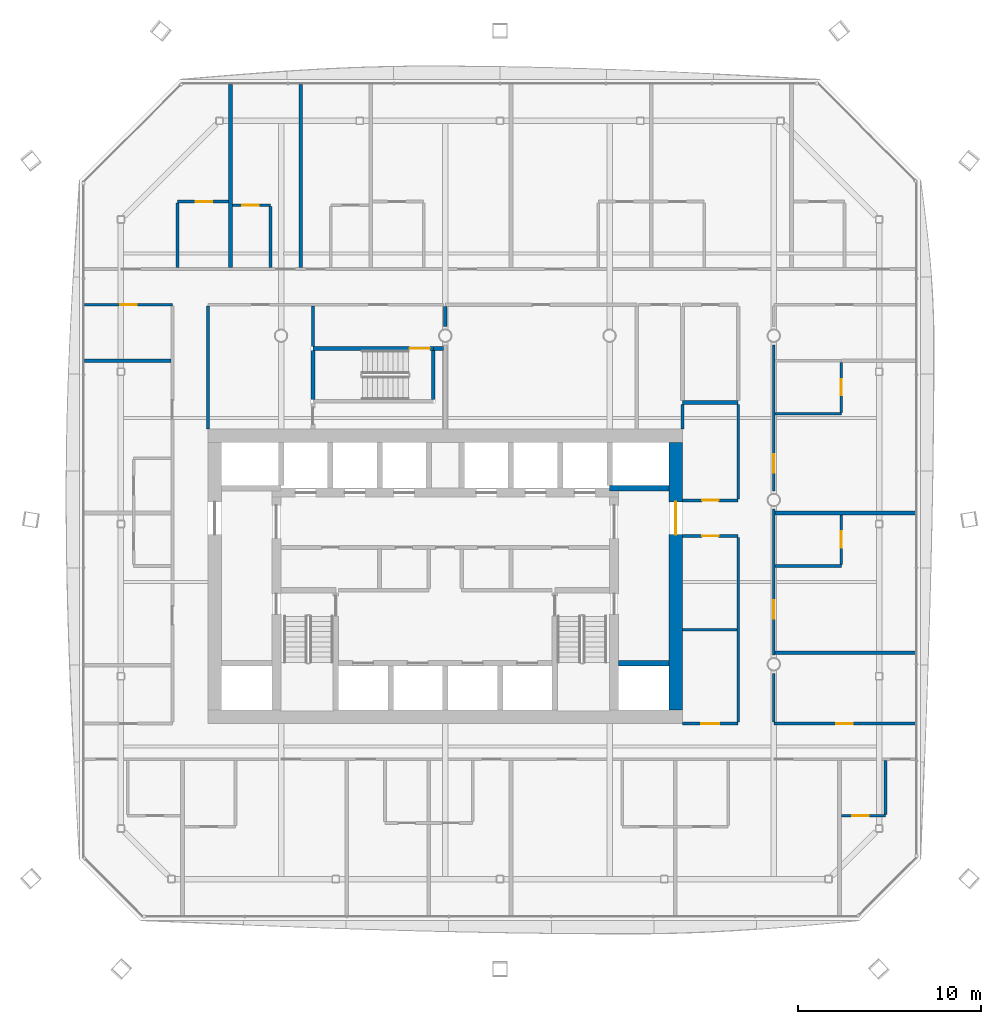
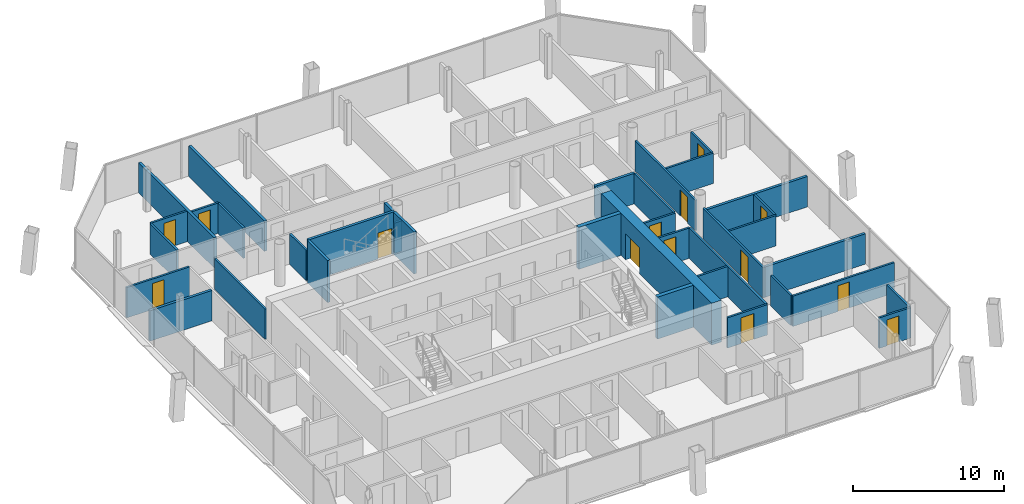
# One storey, part 14 of 21: 38 walls, 14 doors, 14 openings.
"""IFC4 building model written with IfcOpenShell, lengths in metres."""

from ifc_helpers import new_model, si_unit, direction, frame, frame_2d, origin, place, context, subcontext, project, spatial, rectangle, extrude, material, layer, layer_set, type_object, element, fill, save


model = new_model("IFC4")

# Units and contexts
model_context = context("Model", 3, precision=1e-05, world=origin(), true_north=direction((0.0, 1.0)))
body_context = subcontext(model_context, "Body", "Model", "MODEL_VIEW")
ifc_project = project(units=[si_unit("LENGTHUNIT", "METRE"), si_unit("AREAUNIT", "SQUARE_METRE"), si_unit("VOLUMEUNIT", "CUBIC_METRE"), si_unit("PLANEANGLEUNIT", "RADIAN"), si_unit("MASSUNIT", "GRAM", prefix="KILO")], contexts=[model_context])

# Site, building, storey
site_placement = place(None, origin())
site = spatial("IfcSite", under=ifc_project, at=site_placement, CompositionType="ELEMENT")
building_placement = place(site_placement, origin())
building = spatial("IfcBuilding", under=site, at=building_placement, Name="Tskaro Facet Tower", CompositionType="ELEMENT")
storey_placement = place(building_placement, frame((0.0, 0.0, 135.10009765625)))
storey = spatial("IfcBuildingStorey", under=building, at=storey_placement, Name="L32", CompositionType="ELEMENT", Elevation=135.10009765625)

# Walls
ifc_material_1 = material(Name="Concrete C60/75", Category="concrete")
ifc_layer_1 = layer(ifc_material_1, 0.300048828125, Name="Concrete C60/75")
ifc_layer_set_1 = layer_set([ifc_layer_1], Name="Concrete C60/75")
wall_type_1 = type_object("IfcWallType", Name="CORE-SHAFT", PredefinedType="SHEAR", material=ifc_layer_set_1)
wall_1_placement = place(storey_placement, frame((9.5, -8.949951171875, 0.0), z_axis=(0.0, 0.0, 1.0), x_axis=(1.0, 0.0, 0.0)))
element("IfcWall", 1, at=wall_1_placement, inside=storey, type_object=wall_type_1, Name="Shaft wall W013", PredefinedType="SHEAR", context=body_context, shape_type="SweptSolid", body=[
    extrude(rectangle(XDim=2.75, YDim=0.300048828125, at=frame_2d((1.375, 0.0))), origin(), (0.0, 0.0, 1.0), 3.39990234375),
])
wall_2_placement = place(storey_placement, frame((12.25, 0.64990234375, 0.0), z_axis=(0.0, 0.0, 1.0), x_axis=(-1.0, 0.0, 0.0)))
element("IfcWall", 2, at=wall_2_placement, inside=storey, type_object=wall_type_1, Name="Shaft wall W028", PredefinedType="SHEAR", context=body_context, shape_type="SweptSolid", body=[
    extrude(rectangle(XDim=3.25, YDim=0.300048828125, at=frame_2d((1.625, 0.0))), origin(), (0.0, 0.0, 1.0), 3.39990234375),
])

# Wall, opening, door
ifc_material_2 = material(Name="Concrete C50/60", Category="concrete")
ifc_layer_2 = layer(ifc_material_2, 0.75, Name="Concrete C50/60")
ifc_layer_set_2 = layer_set([ifc_layer_2], Name="Concrete C50/60")
wall_type_2 = type_object("IfcWallType", Name="Core wall 750", PredefinedType="SHEAR", material=ifc_layer_set_2)
wall_3_placement = place(storey_placement, frame((12.625, -11.5, 0.0), z_axis=(0.0, 0.0, 1.0), x_axis=(0.0, 1.0, 0.0)))
wall_3 = element("IfcWall", 3, at=wall_3_placement, inside=storey, type_object=wall_type_2, Name="Core wall CW-Z2E", PredefinedType="SHEAR", context=body_context, shape_type="SweptSolid", body=[
    extrude(rectangle(XDim=14.64990234375, YDim=0.75, at=frame_2d((7.324951171875, 0.0))), origin(), (0.0, 0.0, 1.0), 3.39990234375),
])
opening_1_placement = place(wall_3_placement, frame((9.60009765625, 0.0, 0.0)))
opening_1 = element("IfcOpeningElement", 4, at=opening_1_placement, cuts=wall_3, Name="Opening T9-D32", PredefinedType="OPENING", context=body_context, shape_type="SweptSolid", body=[
    extrude(rectangle(XDim=1.800048828125, YDim=2.10009765625, at=frame_2d((0.89990234375, 1.050048828125))), frame((0.0, 0.385009765625, 0.0), z_axis=(0.0, -1.0, 0.0), x_axis=(1.0, 0.0, 0.0)), (0.0, 0.0, 1.0), 0.77001953125),
])
ifc_material_3 = material(Name="Steel", Category="steel")
door_type_1 = type_object("IfcDoorType", Name="D-CORE-PAIR", OperationType="NOTDEFINED", PredefinedType="DOOR", material=ifc_material_3)
door_1_placement = place(opening_1_placement, origin())
door_1 = element("IfcDoor", 5, at=door_1_placement, inside=storey, type_object=door_type_1, Name="Door T9-D32", OperationType="DOUBLE_DOOR_SINGLE_SWING", OverallHeight=2.10009765625, OverallWidth=1.800048828125, PredefinedType="DOOR", context=body_context, shape_type="SweptSolid", body=[
    extrude(rectangle(XDim=1.800048828125, YDim=2.10009765625, at=frame_2d((0.89990234375, 1.050048828125))), frame((0.0, 0.02490234375, 0.0), z_axis=(0.0, -1.0, 0.0), x_axis=(1.0, 0.0, 0.0)), (0.0, 0.0, 1.0), 0.050048828125),
])
fill(opening_1, door_1)

ifc_material_4 = material(Name="Gypsum board on steel studs", Category="steel")
ifc_layer_3 = layer(ifc_material_4, 0.14990234375, Name="Gypsum board on steel studs")
ifc_layer_set_3 = layer_set([ifc_layer_3], Name="Gypsum board on steel studs")
wall_type_3 = type_object("IfcWallType", Name="PART-CORR", PredefinedType="PARTITIONING", material=ifc_layer_set_3)
wall_4_placement = place(storey_placement, frame((21.698974609375, -17.300048828125, 0.0), z_axis=(0.0, 0.0, 1.0), x_axis=(1.0, 0.0, 0.0)))
wall_4 = element("IfcWall", 6, at=wall_4_placement, inside=storey, type_object=wall_type_3, Name="Corridor wall W005", PredefinedType="PARTITIONING", context=body_context, shape_type="SweptSolid", body=[
    extrude(rectangle(XDim=2.419921875, YDim=0.14990234375, at=frame_2d((1.2099609375, 0.0))), origin(), (0.0, 0.0, 1.0), 2.4599609375),
])
opening_2_placement = place(wall_4_placement, frame((0.610107421875, 0.0, 0.0)))
opening_2 = element("IfcOpeningElement", 7, at=opening_2_placement, cuts=wall_4, Name="Opening T9-D07", PredefinedType="OPENING", context=body_context, shape_type="SweptSolid", body=[
    extrude(rectangle(XDim=0.89990234375, YDim=2.10009765625, at=frame_2d((0.449951171875, 1.050048828125))), frame((0.0, 0.0849609375, 0.0), z_axis=(0.0, -1.0, 0.0), x_axis=(1.0, 0.0, 0.0)), (0.0, 0.0, 1.0), 0.169921875),
])
ifc_material_5 = material(Name="Timber", Category="wood")
door_type_2 = type_object("IfcDoorType", Name="D-ROOM", OperationType="NOTDEFINED", PredefinedType="DOOR", material=ifc_material_5)
door_2_placement = place(opening_2_placement, origin())
door_2 = element("IfcDoor", 8, at=door_2_placement, inside=storey, type_object=door_type_2, Name="Door T9-D07", OperationType="SINGLE_SWING_LEFT", OverallHeight=2.10009765625, OverallWidth=0.89990234375, PredefinedType="DOOR", context=body_context, shape_type="SweptSolid", body=[
    extrude(rectangle(XDim=0.89990234375, YDim=2.10009765625, at=frame_2d((0.449951171875, 1.050048828125))), frame((0.0, 0.02490234375, 0.0), z_axis=(0.0, -1.0, 0.0), x_axis=(1.0, 0.0, 0.0)), (0.0, 0.0, 1.0), 0.050048828125),
])
fill(opening_2, door_2)

wall_5_placement = place(storey_placement, frame((13.0, -12.25, 0.0), z_axis=(0.0, 0.0, 1.0), x_axis=(1.0, 0.0, 0.0)))
wall_5 = element("IfcWall", 9, at=wall_5_placement, inside=storey, type_object=wall_type_3, Name="Corridor wall W008", PredefinedType="PARTITIONING", context=body_context, shape_type="SweptSolid", body=[
    extrude(rectangle(XDim=3.050048828125, YDim=0.14990234375, at=frame_2d((1.52490234375, 0.0))), origin(), (0.0, 0.0, 1.0), 2.4599609375),
])
opening_3_placement = place(wall_5_placement, frame((1.02490234375, 0.0, 0.0)))
opening_3 = element("IfcOpeningElement", 10, at=opening_3_placement, cuts=wall_5, Name="Opening T9-D16", PredefinedType="OPENING", context=body_context, shape_type="SweptSolid", body=[
    extrude(rectangle(XDim=1.0, YDim=2.10009765625, at=frame_2d((0.5, 1.050048828125))), frame((0.0, 0.0849609375, 0.0), z_axis=(0.0, -1.0, 0.0), x_axis=(1.0, 0.0, 0.0)), (0.0, 0.0, 1.0), 0.169921875),
])
door_type_3 = type_object("IfcDoorType", Name="D-ROOM-WIDE", OperationType="NOTDEFINED", PredefinedType="DOOR", material=ifc_material_5)
door_3_placement = place(opening_3_placement, origin())
door_3 = element("IfcDoor", 11, at=door_3_placement, inside=storey, type_object=door_type_3, Name="Door T9-D16", OperationType="SINGLE_SWING_LEFT", OverallHeight=2.10009765625, OverallWidth=1.0, PredefinedType="DOOR", context=body_context, shape_type="SweptSolid", body=[
    extrude(rectangle(XDim=1.0, YDim=2.10009765625, at=frame_2d((0.5, 1.050048828125))), frame((0.0, 0.02490234375, 0.0), z_axis=(0.0, -1.0, 0.0), x_axis=(1.0, 0.0, 0.0)), (0.0, 0.0, 1.0), 0.050048828125),
])
fill(opening_3, door_3)

wall_6_placement = place(storey_placement, frame((18.0, -12.25, 0.0), z_axis=(0.0, 0.0, 1.0), x_axis=(1.0, 0.0, 0.0)))
wall_6 = element("IfcWall", 12, at=wall_6_placement, inside=storey, type_object=wall_type_3, Name="Corridor wall W009", PredefinedType="PARTITIONING", context=body_context, shape_type="SweptSolid", body=[
    extrude(rectangle(XDim=7.77001953125, YDim=0.14990234375, at=frame_2d((3.885009765625, 0.0))), origin(), (0.0, 0.0, 1.0), 2.4599609375),
])
opening_4_placement = place(wall_6_placement, frame((3.43505859375, 0.0, 0.0)))
opening_4 = element("IfcOpeningElement", 13, at=opening_4_placement, cuts=wall_6, Name="Opening T9-D17", PredefinedType="OPENING", context=body_context, shape_type="SweptSolid", body=[
    extrude(rectangle(XDim=0.89990234375, YDim=2.10009765625, at=frame_2d((0.449951171875, 1.050048828125))), frame((0.0, 0.0849609375, 0.0), z_axis=(0.0, -1.0, 0.0), x_axis=(1.0, 0.0, 0.0)), (0.0, 0.0, 1.0), 0.169921875),
])
door_4_placement = place(opening_4_placement, origin())
door_4 = element("IfcDoor", 14, at=door_4_placement, inside=storey, type_object=door_type_2, Name="Door T9-D17", OperationType="SINGLE_SWING_LEFT", OverallHeight=2.10009765625, OverallWidth=0.89990234375, PredefinedType="DOOR", context=body_context, shape_type="SweptSolid", body=[
    extrude(rectangle(XDim=0.89990234375, YDim=2.10009765625, at=frame_2d((0.449951171875, 1.050048828125))), frame((0.0, 0.02490234375, 0.0), z_axis=(0.0, -1.0, 0.0), x_axis=(1.0, 0.0, 0.0)), (0.0, 0.0, 1.0), 0.050048828125),
])
fill(opening_4, door_4)

# Walls
wall_7_placement = place(storey_placement, frame((13.0, -7.112060546875, 0.0), z_axis=(0.0, 0.0, 1.0), x_axis=(1.0, 0.0, 0.0)))
element("IfcWall", 15, at=wall_7_placement, inside=storey, type_object=wall_type_3, Name="Corridor wall W015", PredefinedType="PARTITIONING", context=body_context, shape_type="SweptSolid", body=[
    extrude(rectangle(XDim=2.97509765625, YDim=0.14990234375, at=frame_2d((1.487548828125, 0.0))), origin(), (0.0, 0.0, 1.0), 2.4599609375),
])
wall_8_placement = place(storey_placement, frame((18.074951171875, -3.615966796875, 0.0), z_axis=(0.0, 0.0, 1.0), x_axis=(1.0, 0.0, 0.0)))
element("IfcWall", 16, at=wall_8_placement, inside=storey, type_object=wall_type_3, Name="Corridor wall W020", PredefinedType="PARTITIONING", context=body_context, shape_type="SweptSolid", body=[
    extrude(rectangle(XDim=3.625, YDim=0.14990234375, at=frame_2d((1.8125, 0.0))), origin(), (0.0, 0.0, 1.0), 2.4599609375),
])

# Wall, opening, door
wall_9_placement = place(storey_placement, frame((16.050048828125, -1.97509765625, 0.0), z_axis=(0.0, 0.0, 1.0), x_axis=(-1.0, 0.0, 0.0)))
wall_9 = element("IfcWall", 17, at=wall_9_placement, inside=storey, type_object=wall_type_3, Name="Corridor wall W023", PredefinedType="PARTITIONING", context=body_context, shape_type="SweptSolid", body=[
    extrude(rectangle(XDim=3.050048828125, YDim=0.14990234375, at=frame_2d((1.52490234375, 0.0))), origin(), (0.0, 0.0, 1.0), 2.4599609375),
])
opening_5_placement = place(wall_9_placement, frame((1.074951171875, 0.0, 0.0)))
opening_5 = element("IfcOpeningElement", 18, at=opening_5_placement, cuts=wall_9, Name="Opening T9-D28", PredefinedType="OPENING", context=body_context, shape_type="SweptSolid", body=[
    extrude(rectangle(XDim=0.89990234375, YDim=2.10009765625, at=frame_2d((0.449951171875, 1.050048828125))), frame((0.0, 0.0849609375, 0.0), z_axis=(0.0, -1.0, 0.0), x_axis=(1.0, 0.0, 0.0)), (0.0, 0.0, 1.0), 0.169921875),
])
door_5_placement = place(opening_5_placement, origin())
door_5 = element("IfcDoor", 19, at=door_5_placement, inside=storey, type_object=door_type_2, Name="Door T9-D28", OperationType="SINGLE_SWING_RIGHT", OverallHeight=2.10009765625, OverallWidth=0.89990234375, PredefinedType="DOOR", context=body_context, shape_type="SweptSolid", body=[
    extrude(rectangle(XDim=0.89990234375, YDim=2.10009765625, at=frame_2d((0.449951171875, 1.050048828125))), frame((0.0, 0.02490234375, 0.0), z_axis=(0.0, -1.0, 0.0), x_axis=(1.0, 0.0, 0.0)), (0.0, 0.0, 1.0), 0.050048828125),
])
fill(opening_5, door_5)

wall_10_placement = place(storey_placement, frame((13.0, -0.02490234375, 0.0), z_axis=(0.0, 0.0, 1.0), x_axis=(1.0, 0.0, 0.0)))
wall_10 = element("IfcWall", 20, at=wall_10_placement, inside=storey, type_object=wall_type_3, Name="Corridor wall W026", PredefinedType="PARTITIONING", context=body_context, shape_type="SweptSolid", body=[
    extrude(rectangle(XDim=3.050048828125, YDim=0.14990234375, at=frame_2d((1.52490234375, 0.0))), origin(), (0.0, 0.0, 1.0), 2.4599609375),
])
opening_6_placement = place(wall_10_placement, frame((1.074951171875, 0.0, 0.0)))
opening_6 = element("IfcOpeningElement", 21, at=opening_6_placement, cuts=wall_10, Name="Opening T9-D33", PredefinedType="OPENING", context=body_context, shape_type="SweptSolid", body=[
    extrude(rectangle(XDim=0.89990234375, YDim=2.10009765625, at=frame_2d((0.449951171875, 1.050048828125))), frame((0.0, 0.0849609375, 0.0), z_axis=(0.0, -1.0, 0.0), x_axis=(1.0, 0.0, 0.0)), (0.0, 0.0, 1.0), 0.169921875),
])
door_6_placement = place(opening_6_placement, origin())
door_6 = element("IfcDoor", 22, at=door_6_placement, inside=storey, type_object=door_type_2, Name="Door T9-D33", OperationType="SINGLE_SWING_LEFT", OverallHeight=2.10009765625, OverallWidth=0.89990234375, PredefinedType="DOOR", context=body_context, shape_type="SweptSolid", body=[
    extrude(rectangle(XDim=0.89990234375, YDim=2.10009765625, at=frame_2d((0.449951171875, 1.050048828125))), frame((0.0, 0.02490234375, 0.0), z_axis=(0.0, -1.0, 0.0), x_axis=(1.0, 0.0, 0.0)), (0.0, 0.0, 1.0), 0.050048828125),
])
fill(opening_6, door_6)

# Wall
wall_11_placement = place(storey_placement, frame((18.074951171875, 4.72607421875, 0.0), z_axis=(0.0, 0.0, 1.0), x_axis=(1.0, 0.0, 0.0)))
element("IfcWall", 23, at=wall_11_placement, inside=storey, type_object=wall_type_3, Name="Corridor wall W030", PredefinedType="PARTITIONING", context=body_context, shape_type="SweptSolid", body=[
    extrude(rectangle(XDim=3.625, YDim=0.14990234375, at=frame_2d((1.8125, 0.0))), origin(), (0.0, 0.0, 1.0), 2.4599609375),
])

# Wall, opening, door
wall_12_placement = place(storey_placement, frame((-14.949951171875, 10.699951171875, 0.0), z_axis=(0.0, 0.0, 1.0), x_axis=(-1.0, 0.0, 0.0)))
wall_12 = element("IfcWall", 24, at=wall_12_placement, inside=storey, type_object=wall_type_3, Name="Corridor wall W038", PredefinedType="PARTITIONING", context=body_context, shape_type="SweptSolid", body=[
    extrude(rectangle(XDim=4.820068359375, YDim=0.14990234375, at=frame_2d((2.41015625, 0.0))), origin(), (0.0, 0.0, 1.0), 2.4599609375),
])
opening_7_placement = place(wall_12_placement, frame((1.9599609375, 0.0, 0.0)))
opening_7 = element("IfcOpeningElement", 25, at=opening_7_placement, cuts=wall_12, Name="Opening T9-D41", PredefinedType="OPENING", context=body_context, shape_type="SweptSolid", body=[
    extrude(rectangle(XDim=0.89990234375, YDim=2.10009765625, at=frame_2d((0.449951171875, 1.050048828125))), frame((0.0, 0.0849609375, 0.0), z_axis=(0.0, -1.0, 0.0), x_axis=(1.0, 0.0, 0.0)), (0.0, 0.0, 1.0), 0.169921875),
])
door_7_placement = place(opening_7_placement, origin())
door_7 = element("IfcDoor", 26, at=door_7_placement, inside=storey, type_object=door_type_2, Name="Door T9-D41", OperationType="SINGLE_SWING_RIGHT", OverallHeight=2.10009765625, OverallWidth=0.89990234375, PredefinedType="DOOR", context=body_context, shape_type="SweptSolid", body=[
    extrude(rectangle(XDim=0.89990234375, YDim=2.10009765625, at=frame_2d((0.449951171875, 1.050048828125))), frame((0.0, 0.02490234375, 0.0), z_axis=(0.0, -1.0, 0.0), x_axis=(1.0, 0.0, 0.0)), (0.0, 0.0, 1.0), 0.050048828125),
])
fill(opening_7, door_7)

wall_13_placement = place(storey_placement, frame((-9.577880859375, 16.14990234375, 0.0), z_axis=(0.0, 0.0, 1.0), x_axis=(-1.0, 0.0, 0.0)))
wall_13 = element("IfcWall", 27, at=wall_13_placement, inside=storey, type_object=wall_type_3, Name="Corridor wall W045", PredefinedType="PARTITIONING", context=body_context, shape_type="SweptSolid", body=[
    extrude(rectangle(XDim=2.090087890625, YDim=0.14990234375, at=frame_2d((1.044921875, 0.0))), origin(), (0.0, 0.0, 1.0), 2.4599609375),
])
opening_8_placement = place(wall_13_placement, frame((0.64501953125, 0.0, 0.0)))
opening_8 = element("IfcOpeningElement", 28, at=opening_8_placement, cuts=wall_13, Name="Opening T9-D55", PredefinedType="OPENING", context=body_context, shape_type="SweptSolid", body=[
    extrude(rectangle(XDim=0.89990234375, YDim=2.10009765625, at=frame_2d((0.449951171875, 1.050048828125))), frame((0.0, 0.0849609375, 0.0), z_axis=(0.0, -1.0, 0.0), x_axis=(1.0, 0.0, 0.0)), (0.0, 0.0, 1.0), 0.169921875),
])
door_8_placement = place(opening_8_placement, origin())
door_8 = element("IfcDoor", 29, at=door_8_placement, inside=storey, type_object=door_type_2, Name="Door T9-D55", OperationType="SINGLE_SWING_RIGHT", OverallHeight=2.10009765625, OverallWidth=0.89990234375, PredefinedType="DOOR", context=body_context, shape_type="SweptSolid", body=[
    extrude(rectangle(XDim=0.89990234375, YDim=2.10009765625, at=frame_2d((0.449951171875, 1.050048828125))), frame((0.0, 0.02490234375, 0.0), z_axis=(0.0, -1.0, 0.0), x_axis=(1.0, 0.0, 0.0)), (0.0, 0.0, 1.0), 0.050048828125),
])
fill(opening_8, door_8)

wall_14_placement = place(storey_placement, frame((-11.867919921875, 16.35009765625, 0.0), z_axis=(0.0, 0.0, 1.0), x_axis=(-1.0, 0.0, 0.0)))
wall_14 = element("IfcWall", 30, at=wall_14_placement, inside=storey, type_object=wall_type_3, Name="Corridor wall W047", PredefinedType="PARTITIONING", context=body_context, shape_type="SweptSolid", body=[
    extrude(rectangle(XDim=2.800048828125, YDim=0.14990234375, at=frame_2d((1.39990234375, 0.0))), origin(), (0.0, 0.0, 1.0), 2.4599609375),
])
opening_9_placement = place(wall_14_placement, frame((0.89990234375, 0.0, 0.0)))
opening_9 = element("IfcOpeningElement", 31, at=opening_9_placement, cuts=wall_14, Name="Opening T9-D57", PredefinedType="OPENING", context=body_context, shape_type="SweptSolid", body=[
    extrude(rectangle(XDim=0.89990234375, YDim=2.10009765625, at=frame_2d((0.449951171875, 1.050048828125))), frame((0.0, 0.0849609375, 0.0), z_axis=(0.0, -1.0, 0.0), x_axis=(1.0, 0.0, 0.0)), (0.0, 0.0, 1.0), 0.169921875),
])
door_9_placement = place(opening_9_placement, origin())
door_9 = element("IfcDoor", 32, at=door_9_placement, inside=storey, type_object=door_type_2, Name="Door T9-D57", OperationType="SINGLE_SWING_RIGHT", OverallHeight=2.10009765625, OverallWidth=0.89990234375, PredefinedType="DOOR", context=body_context, shape_type="SweptSolid", body=[
    extrude(rectangle(XDim=0.89990234375, YDim=2.10009765625, at=frame_2d((0.449951171875, 1.050048828125))), frame((0.0, 0.02490234375, 0.0), z_axis=(0.0, -1.0, 0.0), x_axis=(1.0, 0.0, 0.0)), (0.0, 0.0, 1.0), 0.050048828125),
])
fill(opening_9, door_9)

# Walls
wall_15_placement = place(storey_placement, frame((-14.66796875, 12.72509765625, 0.0), z_axis=(0.0, 0.0, 1.0), x_axis=(0.0, 1.0, 0.0)))
element("IfcWall", 33, at=wall_15_placement, inside=storey, type_object=wall_type_3, Name="Corridor wall W054", PredefinedType="PARTITIONING", context=body_context, shape_type="SweptSolid", body=[
    extrude(rectangle(XDim=3.5498046875, YDim=0.14990234375, at=frame_2d((1.77490234375, 0.0))), origin(), (0.0, 0.0, 1.0), 2.4599609375),
])
wall_16_placement = place(storey_placement, frame((-13.0, 3.89990234375, 0.0), z_axis=(0.0, 0.0, 1.0), x_axis=(0.0, 1.0, 0.0)))
element("IfcWall", 34, at=wall_16_placement, inside=storey, type_object=wall_type_3, Name="Corridor wall W056", PredefinedType="PARTITIONING", context=body_context, shape_type="SweptSolid", body=[
    extrude(rectangle(XDim=6.72509765625, YDim=0.14990234375, at=frame_2d((3.362548828125, 0.0))), origin(), (0.0, 0.0, 1.0), 2.4599609375),
])
wall_17_placement = place(storey_placement, frame((-9.577880859375, 12.72509765625, 0.0), z_axis=(0.0, 0.0, 1.0), x_axis=(0.0, 1.0, 0.0)))
element("IfcWall", 35, at=wall_17_placement, inside=storey, type_object=wall_type_3, Name="Corridor wall W059", PredefinedType="PARTITIONING", context=body_context, shape_type="SweptSolid", body=[
    extrude(rectangle(XDim=3.349853515625, YDim=0.14990234375, at=frame_2d((1.6748046875, 0.0))), origin(), (0.0, 0.0, 1.0), 2.4599609375),
])
wall_18_placement = place(storey_placement, frame((-7.25, 8.39990234375, 0.0), z_axis=(0.0, 0.0, 1.0), x_axis=(0.0, 1.0, 0.0)))
element("IfcWall", 36, at=wall_18_placement, inside=storey, type_object=wall_type_3, Name="Corridor wall W064", PredefinedType="PARTITIONING", context=body_context, shape_type="SweptSolid", body=[
    extrude(rectangle(XDim=2.22509765625, YDim=0.14990234375, at=frame_2d((1.112548828125, 0.0))), origin(), (0.0, 0.0, 1.0), 2.4599609375),
])
wall_19_placement = place(storey_placement, frame((13.0, 3.89990234375, 0.0), z_axis=(0.0, 0.0, 1.0), x_axis=(0.0, 1.0, 0.0)))
element("IfcWall", 37, at=wall_19_placement, inside=storey, type_object=wall_type_3, Name="Corridor wall W098", PredefinedType="PARTITIONING", context=body_context, shape_type="SweptSolid", body=[
    extrude(rectangle(XDim=1.337158203125, YDim=0.14990234375, at=frame_2d((0.66845703125, 0.0))), origin(), (0.0, 0.0, 1.0), 2.4599609375),
])
wall_20_placement = place(storey_placement, frame((16.050048828125, -12.175048828125, 0.0), z_axis=(0.0, 0.0, 1.0), x_axis=(0.0, 1.0, 0.0)))
element("IfcWall", 38, at=wall_20_placement, inside=storey, type_object=wall_type_3, Name="Corridor wall W102", PredefinedType="PARTITIONING", context=body_context, shape_type="SweptSolid", body=[
    extrude(rectangle(XDim=10.125, YDim=0.14990234375, at=frame_2d((5.0625, 0.0))), origin(), (0.0, 0.0, 1.0), 2.4599609375),
])
wall_21_placement = place(storey_placement, frame((16.050048828125, 0.050048828125, 0.0), z_axis=(0.0, 0.0, 1.0), x_axis=(0.0, 1.0, 0.0)))
element("IfcWall", 39, at=wall_21_placement, inside=storey, type_object=wall_type_3, Name="Corridor wall W103", PredefinedType="PARTITIONING", context=body_context, shape_type="SweptSolid", body=[
    extrude(rectangle(XDim=5.18701171875, YDim=0.14990234375, at=frame_2d((2.593505859375, 0.0))), origin(), (0.0, 0.0, 1.0), 2.4599609375),
])
wall_22_placement = place(storey_placement, frame((18.0, -12.175048828125, 0.0), z_axis=(0.0, 0.0, 1.0), x_axis=(0.0, 1.0, 0.0)))
element("IfcWall", 40, at=wall_22_placement, inside=storey, type_object=wall_type_3, Name="Corridor wall W105", PredefinedType="PARTITIONING", context=body_context, shape_type="SweptSolid", body=[
    extrude(rectangle(XDim=2.675048828125, YDim=0.14990234375, at=frame_2d((1.33740234375, 0.0))), origin(), (0.0, 0.0, 1.0), 2.4599609375),
])

# Wall, opening, door
wall_23_placement = place(storey_placement, frame((18.0, -0.5, 0.0), z_axis=(0.0, 0.0, 1.0), x_axis=(0.0, -1.0, 0.0)))
wall_23 = element("IfcWall", 41, at=wall_23_placement, inside=storey, type_object=wall_type_3, Name="Corridor wall W106", PredefinedType="PARTITIONING", context=body_context, shape_type="SweptSolid", body=[
    extrude(rectangle(XDim=8.0, YDim=0.14990234375, at=frame_2d((4.0, 0.0))), origin(), (0.0, 0.0, 1.0), 2.4599609375),
])
opening_10_placement = place(wall_23_placement, frame((4.998046875, 0.0, 0.0)))
opening_10 = element("IfcOpeningElement", 42, at=opening_10_placement, cuts=wall_23, Name="Opening T9-D21", PredefinedType="OPENING", context=body_context, shape_type="SweptSolid", body=[
    extrude(rectangle(XDim=1.0, YDim=2.10009765625, at=frame_2d((0.5, 1.050048828125))), frame((0.0, 0.0849609375, 0.0), z_axis=(0.0, -1.0, 0.0), x_axis=(1.0, 0.0, 0.0)), (0.0, 0.0, 1.0), 0.169921875),
])
door_type_4 = type_object("IfcDoorType", Name="D-ENTRY", OperationType="NOTDEFINED", PredefinedType="DOOR", material=ifc_material_5)
door_10_placement = place(opening_10_placement, origin())
door_10 = element("IfcDoor", 43, at=door_10_placement, inside=storey, type_object=door_type_4, Name="Door T9-D21", OperationType="SINGLE_SWING_LEFT", OverallHeight=2.10009765625, OverallWidth=1.0, PredefinedType="DOOR", context=body_context, shape_type="SweptSolid", body=[
    extrude(rectangle(XDim=1.0, YDim=2.10009765625, at=frame_2d((0.5, 1.050048828125))), frame((0.0, 0.02490234375, 0.0), z_axis=(0.0, -1.0, 0.0), x_axis=(1.0, 0.0, 0.0)), (0.0, 0.0, 1.0), 0.050048828125),
])
fill(opening_10, door_10)

wall_24_placement = place(storey_placement, frame((18.0, 8.5, 0.0), z_axis=(0.0, 0.0, 1.0), x_axis=(0.0, -1.0, 0.0)))
wall_24 = element("IfcWall", 44, at=wall_24_placement, inside=storey, type_object=wall_type_3, Name="Corridor wall W107", PredefinedType="PARTITIONING", context=body_context, shape_type="SweptSolid", body=[
    extrude(rectangle(XDim=8.0, YDim=0.14990234375, at=frame_2d((4.0, 0.0))), origin(), (0.0, 0.0, 1.0), 2.4599609375),
])
opening_11_placement = place(wall_24_placement, frame((5.9951171875, 0.0, 0.0)))
opening_11 = element("IfcOpeningElement", 45, at=opening_11_placement, cuts=wall_24, Name="Opening T9-D37", PredefinedType="OPENING", context=body_context, shape_type="SweptSolid", body=[
    extrude(rectangle(XDim=1.0, YDim=2.10009765625, at=frame_2d((0.5, 1.050048828125))), frame((0.0, 0.0849609375, 0.0), z_axis=(0.0, -1.0, 0.0), x_axis=(1.0, 0.0, 0.0)), (0.0, 0.0, 1.0), 0.169921875),
])
door_11_placement = place(opening_11_placement, origin())
door_11 = element("IfcDoor", 46, at=door_11_placement, inside=storey, type_object=door_type_4, Name="Door T9-D37", OperationType="SINGLE_SWING_LEFT", OverallHeight=2.10009765625, OverallWidth=1.0, PredefinedType="DOOR", context=body_context, shape_type="SweptSolid", body=[
    extrude(rectangle(XDim=1.0, YDim=2.10009765625, at=frame_2d((0.5, 1.050048828125))), frame((0.0, 0.02490234375, 0.0), z_axis=(0.0, -1.0, 0.0), x_axis=(1.0, 0.0, 0.0)), (0.0, 0.0, 1.0), 0.050048828125),
])
fill(opening_11, door_11)

wall_25_placement = place(storey_placement, frame((21.699951171875, -3.541015625, 0.0), z_axis=(0.0, 0.0, 1.0), x_axis=(0.0, 1.0, 0.0)))
wall_25 = element("IfcWall", 47, at=wall_25_placement, inside=storey, type_object=wall_type_3, Name="Corridor wall W111", PredefinedType="PARTITIONING", context=body_context, shape_type="SweptSolid", body=[
    extrude(rectangle(XDim=2.72509765625, YDim=0.14990234375, at=frame_2d((1.362548828125, 0.0))), origin(), (0.0, 0.0, 1.0), 2.4599609375),
])
opening_12_placement = place(wall_25_placement, frame((0.925048828125, 0.0, 0.0)))
opening_12 = element("IfcOpeningElement", 48, at=opening_12_placement, cuts=wall_25, Name="Opening T9-D27", PredefinedType="OPENING", context=body_context, shape_type="SweptSolid", body=[
    extrude(rectangle(XDim=0.89990234375, YDim=2.10009765625, at=frame_2d((0.449951171875, 1.050048828125))), frame((0.0, 0.0849609375, 0.0), z_axis=(0.0, -1.0, 0.0), x_axis=(1.0, 0.0, 0.0)), (0.0, 0.0, 1.0), 0.169921875),
])
door_12_placement = place(opening_12_placement, origin())
door_12 = element("IfcDoor", 49, at=door_12_placement, inside=storey, type_object=door_type_2, Name="Door T9-D27", OperationType="SINGLE_SWING_LEFT", OverallHeight=2.10009765625, OverallWidth=0.89990234375, PredefinedType="DOOR", context=body_context, shape_type="SweptSolid", body=[
    extrude(rectangle(XDim=0.89990234375, YDim=2.10009765625, at=frame_2d((0.449951171875, 1.050048828125))), frame((0.0, 0.02490234375, 0.0), z_axis=(0.0, -1.0, 0.0), x_axis=(1.0, 0.0, 0.0)), (0.0, 0.0, 1.0), 0.050048828125),
])
fill(opening_12, door_12)

wall_26_placement = place(storey_placement, frame((21.699951171875, 4.801025390625, 0.0), z_axis=(0.0, 0.0, 1.0), x_axis=(0.0, 1.0, 0.0)))
wall_26 = element("IfcWall", 50, at=wall_26_placement, inside=storey, type_object=wall_type_3, Name="Corridor wall W112", PredefinedType="PARTITIONING", context=body_context, shape_type="SweptSolid", body=[
    extrude(rectangle(XDim=2.724853515625, YDim=0.14990234375, at=frame_2d((1.3623046875, 0.0))), origin(), (0.0, 0.0, 1.0), 2.4599609375),
])
opening_13_placement = place(wall_26_placement, frame((0.925048828125, 0.0, 0.0)))
opening_13 = element("IfcOpeningElement", 51, at=opening_13_placement, cuts=wall_26, Name="Opening T9-D40", PredefinedType="OPENING", context=body_context, shape_type="SweptSolid", body=[
    extrude(rectangle(XDim=0.89990234375, YDim=2.10009765625, at=frame_2d((0.449951171875, 1.050048828125))), frame((0.0, 0.0849609375, 0.0), z_axis=(0.0, -1.0, 0.0), x_axis=(1.0, 0.0, 0.0)), (0.0, 0.0, 1.0), 0.169921875),
])
door_13_placement = place(opening_13_placement, origin())
door_13 = element("IfcDoor", 52, at=door_13_placement, inside=storey, type_object=door_type_2, Name="Door T9-D40", OperationType="SINGLE_SWING_LEFT", OverallHeight=2.10009765625, OverallWidth=0.89990234375, PredefinedType="DOOR", context=body_context, shape_type="SweptSolid", body=[
    extrude(rectangle(XDim=0.89990234375, YDim=2.10009765625, at=frame_2d((0.449951171875, 1.050048828125))), frame((0.0, 0.02490234375, 0.0), z_axis=(0.0, -1.0, 0.0), x_axis=(1.0, 0.0, 0.0)), (0.0, 0.0, 1.0), 0.050048828125),
])
fill(opening_13, door_13)

# Walls
wall_27_placement = place(storey_placement, frame((24.118896484375, -17.22509765625, 0.0), z_axis=(0.0, 0.0, 1.0), x_axis=(0.0, 1.0, 0.0)))
element("IfcWall", 53, at=wall_27_placement, inside=storey, type_object=wall_type_3, Name="Corridor wall W114", PredefinedType="PARTITIONING", context=body_context, shape_type="SweptSolid", body=[
    extrude(rectangle(XDim=2.9501953125, YDim=0.14990234375, at=frame_2d((1.47509765625, 0.0))), origin(), (0.0, 0.0, 1.0), 2.4599609375),
])
ifc_layer_4 = layer(ifc_material_4, 0.199951171875, Name="Gypsum board on steel studs")
ifc_layer_set_4 = layer_set([ifc_layer_4], Name="Gypsum board on steel studs")
wall_type_4 = type_object("IfcWallType", Name="PART-DEMISING", PredefinedType="PARTITIONING", material=ifc_layer_set_4)
for number, where, z_axis, x_axis, name in (
    (54, (18.074951171875, -8.3798828125, 0.0), (0.0, 0.0, 1.0), (1.0, 0.0, 0.0), "Guest room wall W014"),
    (55, (18.074951171875, -0.716064453125, 0.0), (0.0, 0.0, 1.0), (1.0, 0.0, 0.0), "Guest room wall W024"),
):
    element("IfcWall", number, at=place(storey_placement, frame(where, z_axis=z_axis, x_axis=x_axis)), inside=storey, type_object=wall_type_4, Name=name, PredefinedType="PARTITIONING", context=body_context, shape_type="SweptSolid", body=[
        extrude(rectangle(XDim=7.695068359375, YDim=0.199951171875, at=frame_2d((3.84765625, 0.0))), origin(), (0.0, 0.0, 1.0), 2.4599609375),
    ])
wall_28_placement = place(storey_placement, frame((-19.77001953125, 7.6259765625, 0.0), z_axis=(0.0, 0.0, 1.0), x_axis=(1.0, 0.0, 0.0)))
element("IfcWall", 56, at=wall_28_placement, inside=storey, type_object=wall_type_4, Name="Guest room wall W033", PredefinedType="PARTITIONING", context=body_context, shape_type="SweptSolid", body=[
    extrude(rectangle(XDim=4.7451171875, YDim=0.199951171875, at=frame_2d((2.37255859375, 0.0))), origin(), (0.0, 0.0, 1.0), 2.4599609375),
])
for number, where, z_axis, x_axis, name in (
    (57, (-11.76806640625, 12.72509765625, 0.0), (0.0, 0.0, 1.0), (0.0, 1.0, 0.0), "Guest room wall W057"),
    (58, (-7.926025390625, 12.72509765625, 0.0), (0.0, 0.0, 1.0), (0.0, 1.0, 0.0), "Guest room wall W061"),
):
    element("IfcWall", number, at=place(storey_placement, frame(where, z_axis=z_axis, x_axis=x_axis)), inside=storey, type_object=wall_type_4, Name=name, PredefinedType="PARTITIONING", context=body_context, shape_type="SweptSolid", body=[
        extrude(rectangle(XDim=10.044921875, YDim=0.199951171875, at=frame_2d((5.0224609375, 0.0))), origin(), (0.0, 0.0, 1.0), 2.4599609375),
    ])

# Wall, opening, door
ifc_layer_5 = layer(ifc_material_1, 0.199951171875, Name="Concrete C60/75")
ifc_layer_set_5 = layer_set([ifc_layer_5], Name="Concrete C60/75")
wall_type_5 = type_object("IfcWallType", Name="STAIR-WALL", PredefinedType="SHEAR", material=ifc_layer_set_5)
wall_29_placement = place(storey_placement, frame((-0.64990234375, 8.300048828125, 0.0), z_axis=(0.0, 0.0, 1.0), x_axis=(-1.0, 0.0, 0.0)))
wall_29 = element("IfcWall", 59, at=wall_29_placement, inside=storey, type_object=wall_type_5, Name="Stair wall W036", PredefinedType="SHEAR", context=body_context, shape_type="SweptSolid", body=[
    extrude(rectangle(XDim=6.60009765625, YDim=0.199951171875, at=frame_2d((3.300048828125, 0.0))), origin(), (0.0, 0.0, 1.0), 3.39990234375),
])
opening_14_placement = place(wall_29_placement, frame((0.199951171875, 0.0, 0.0)))
opening_14 = element("IfcOpeningElement", 60, at=opening_14_placement, cuts=wall_29, Name="Opening ST-3-D1", PredefinedType="OPENING", context=body_context, shape_type="SweptSolid", body=[
    extrude(rectangle(XDim=1.10009765625, YDim=2.10009765625, at=frame_2d((0.550048828125, 1.050048828125))), frame((0.0, 0.10986328125, 0.0), z_axis=(0.0, -1.0, 0.0), x_axis=(1.0, 0.0, 0.0)), (0.0, 0.0, 1.0), 0.219970703125),
])
door_type_5 = type_object("IfcDoorType", Name="D-STAIR", OperationType="NOTDEFINED", PredefinedType="DOOR", material=ifc_material_3)
door_14_placement = place(opening_14_placement, origin())
door_14 = element("IfcDoor", 61, at=door_14_placement, inside=storey, type_object=door_type_5, Name="Stair door 3", OperationType="SINGLE_SWING_RIGHT", OverallHeight=2.10009765625, OverallWidth=1.10009765625, PredefinedType="DOOR", context=body_context, shape_type="SweptSolid", body=[
    extrude(rectangle(XDim=1.10009765625, YDim=2.10009765625, at=frame_2d((0.550048828125, 1.050048828125))), frame((0.0, 0.02490234375, 0.0), z_axis=(0.0, -1.0, 0.0), x_axis=(1.0, 0.0, 0.0)), (0.0, 0.0, 1.0), 0.050048828125),
])
fill(opening_14, door_14)

# Walls
for number, where, z_axis, x_axis, name in (
    (62, (-7.25, 5.5, 0.0), (0.0, 0.0, 1.0), (0.0, 1.0, 0.0), "Stair wall W063"),
    (63, (-0.64990234375, 5.5, 0.0), (0.0, 0.0, 1.0), (0.0, 1.0, 0.0), "Stair wall W078"),
):
    element("IfcWall", number, at=place(storey_placement, frame(where, z_axis=z_axis, x_axis=x_axis)), inside=storey, type_object=wall_type_5, Name=name, PredefinedType="SHEAR", context=body_context, shape_type="SweptSolid", body=[
        extrude(rectangle(XDim=2.699951171875, YDim=0.199951171875, at=frame_2d((1.35009765625, 0.0))), origin(), (0.0, 0.0, 1.0), 3.39990234375),
    ])
ifc_material_6 = material(Name="Concrete C20/25", Category="concrete")
ifc_layer_6 = layer(ifc_material_6, 0.199951171875, Name="Concrete C20/25")
ifc_layer_set_6 = layer_set([ifc_layer_6], Name="Concrete C20/25")
wall_type_6 = type_object("IfcWallType", Name="WALL-RISER", PredefinedType="SOLIDWALL", material=ifc_layer_set_6)
wall_30_placement = place(storey_placement, frame((13.0, 5.3369140625, 0.0), z_axis=(0.0, 0.0, 1.0), x_axis=(1.0, 0.0, 0.0)))
element("IfcWall", 64, at=wall_30_placement, inside=storey, type_object=wall_type_6, Name="Riser room wall W031", PredefinedType="SOLIDWALL", context=body_context, shape_type="SweptSolid", body=[
    extrude(rectangle(XDim=3.050048828125, YDim=0.199951171875, at=frame_2d((1.52490234375, 0.0))), origin(), (0.0, 0.0, 1.0), 2.4599609375),
])
wall_31_placement = place(storey_placement, frame((-0.64990234375, 8.300048828125, 0.0), z_axis=(0.0, 0.0, 1.0), x_axis=(1.0, 0.0, 0.0)))
element("IfcWall", 65, at=wall_31_placement, inside=storey, type_object=wall_type_6, Name="Riser room wall W037", PredefinedType="SOLIDWALL", context=body_context, shape_type="SweptSolid", body=[
    extrude(rectangle(XDim=0.5498046875, YDim=0.199951171875, at=frame_2d((0.27490234375, 0.0))), origin(), (0.0, 0.0, 1.0), 2.4599609375),
])
wall_32_placement = place(storey_placement, frame((0.0, 9.5, 0.0), z_axis=(0.0, 0.0, 1.0), x_axis=(0.0, 1.0, 0.0)))
element("IfcWall", 66, at=wall_32_placement, inside=storey, type_object=wall_type_6, Name="Riser room wall W081", PredefinedType="SOLIDWALL", context=body_context, shape_type="SweptSolid", body=[
    extrude(rectangle(XDim=1.10009765625, YDim=0.199951171875, at=frame_2d((0.550048828125, 0.0))), origin(), (0.0, 0.0, 1.0), 2.4599609375),
])

save(model, "model.ifc")
